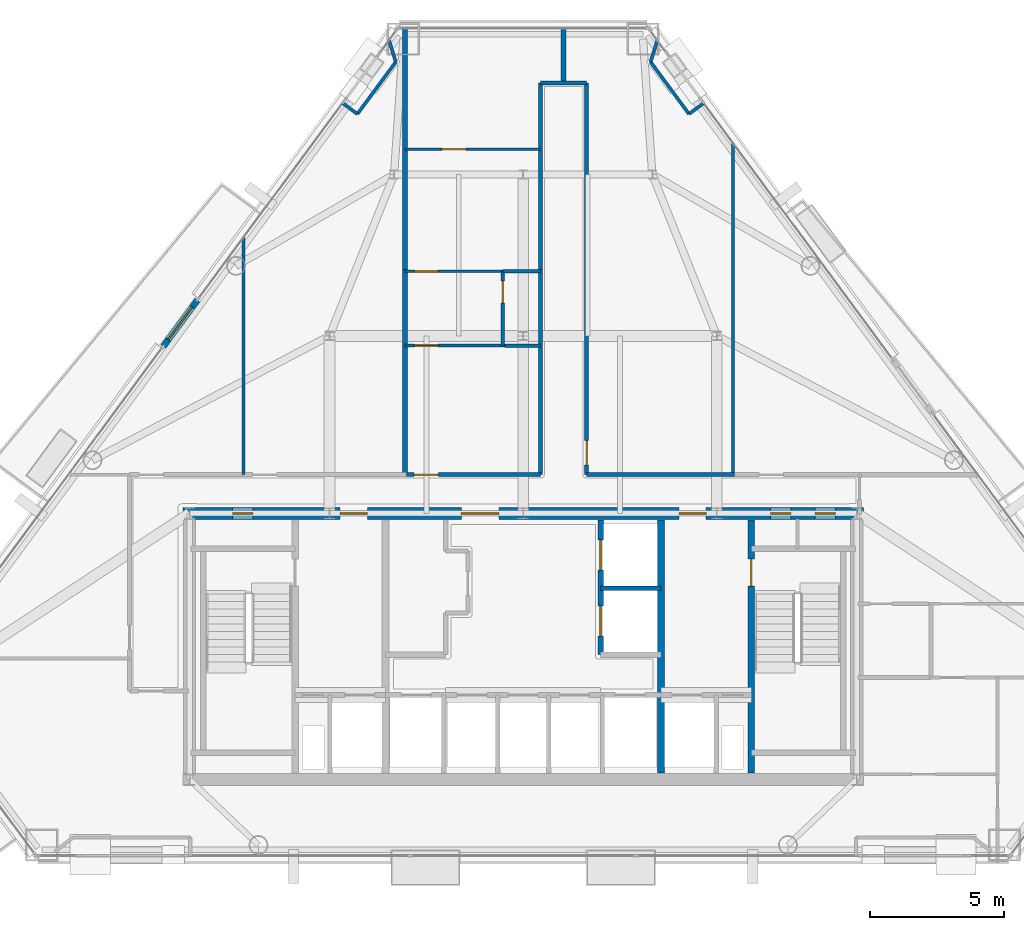
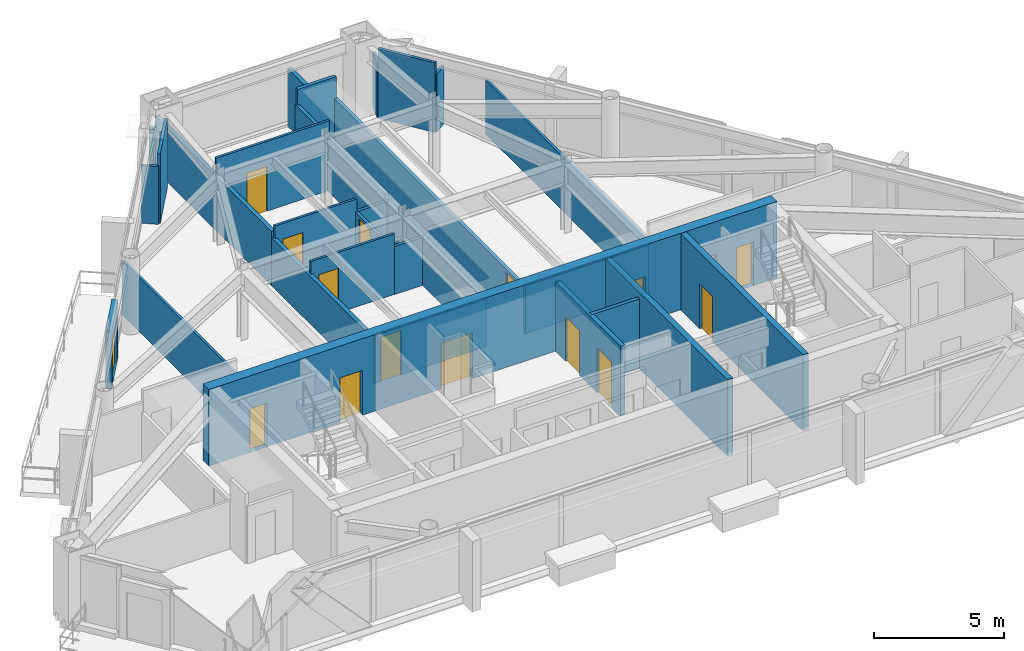
# One storey, part 9 of 12: 29 walls, 16 doors, 16 openings.
"""IFC4 building model written with IfcOpenShell, lengths in metres."""

from ifc_helpers import new_model, si_unit, direction, frame, frame_2d, origin, place, context, subcontext, project, spatial, rectangle, extrude, material, layer, layer_set, type_object, element, fill, save


model = new_model("IFC4")

# Units and contexts
model_context = context("Model", 3, precision=1e-05, world=origin(), true_north=direction((0.0, 1.0)))
body_context = subcontext(model_context, "Body", "Model", "MODEL_VIEW")
ifc_project = project(units=[si_unit("LENGTHUNIT", "METRE"), si_unit("AREAUNIT", "SQUARE_METRE"), si_unit("VOLUMEUNIT", "CUBIC_METRE"), si_unit("PLANEANGLEUNIT", "RADIAN"), si_unit("MASSUNIT", "GRAM", prefix="KILO")], contexts=[model_context])

# Site, building, storey
site_placement = place(None, origin())
site = spatial("IfcSite", under=ifc_project, at=site_placement, CompositionType="ELEMENT")
building_placement = place(site_placement, origin())
building = spatial("IfcBuilding", under=site, at=building_placement, Name="Talgorran Terracotta Tower", CompositionType="ELEMENT")
storey_placement = place(building_placement, frame((0.0, 0.0, 165.300048828125)))
storey = spatial("IfcBuildingStorey", under=building, at=storey_placement, Name="L43", CompositionType="ELEMENT", Elevation=165.300048828125)

# Wall, opening, door
ifc_material_1 = material(Name="Concrete C40/50", Category="concrete")
ifc_layer_1 = layer(ifc_material_1, 0.239990234375, Name="WT_BALCONY_SPAND")
ifc_layer_set_1 = layer_set([ifc_layer_1], Name="Concrete C40/50")
wall_type_1 = type_object("IfcWallType", Name="WT_BALCONY_SPAND", PredefinedType="STANDARD", material=ifc_layer_set_1)
wall_1_placement = place(storey_placement, frame((-12.114990234375, 3.731201171875, -0.01513671875), z_axis=(0.0, 0.0, 1.0), x_axis=(-0.593794270714, -0.804616905158, 0.0)))
wall_1 = element("IfcWall", 1, at=wall_1_placement, inside=storey, type_object=wall_type_1, Name="WL-L43-BALP-BAL-NW", PredefinedType="STANDARD", context=body_context, shape_type="SweptSolid", body=[
    extrude(rectangle(XDim=2.14013671875, YDim=0.239990234375, at=frame_2d((1.070068359375, 0.0))), origin(), (0.0, 0.0, 1.0), 2.737060546875),
])
opening_1_placement = place(wall_1_placement, frame((0.320068359375, 0.0, 0.014892578125)))
opening_1 = element("IfcOpeningElement", 2, at=opening_1_placement, cuts=wall_1, Name="Opening D-BAL-L43-2", PredefinedType="OPENING", context=body_context, shape_type="SweptSolid", body=[
    extrude(rectangle(XDim=1.506, YDim=2.203951171875, at=frame_2d((0.75, 1.10205078125))), frame((0.0, 0.1298828125, 0.0), z_axis=(0.0, -1.0, 0.0), x_axis=(1.0, 0.0, 0.0)), (0.0, 0.0, 1.0), 0.260009765625),
])
ifc_material_2 = material(Name="Thermally Broken Aluminium", Category="aluminium")
door_type_1 = type_object("IfcDoorType", Name="DT_BALC_1500", OperationType="SLIDING_TO_RIGHT", PredefinedType="DOOR", material=ifc_material_2)
door_1_placement = place(opening_1_placement, origin())
door_1 = element("IfcDoor", 3, at=door_1_placement, inside=storey, type_object=door_type_1, Name="DR-L43-BAL-BAL-NW", OperationType="SLIDING_TO_RIGHT", OverallHeight=2.199951171875, OverallWidth=1.5, PredefinedType="DOOR", context=body_context, shape_type="SweptSolid", body=[
    extrude(rectangle(XDim=1.5, YDim=2.199951171875, at=frame_2d((0.75, 1.10009765625))), frame((0.0, 0.02490234375, 0.0), z_axis=(0.0, -1.0, 0.0), x_axis=(1.0, 0.0, 0.0)), (0.0, 0.0, 1.0), 0.050048828125),
])
fill(opening_1, door_1)

# Wall, openings, doors
ifc_material_3 = material(Name="Concrete C50/60", Category="concrete")
ifc_layer_2 = layer(ifc_material_3, 0.199951171875, Name="WT_CORE_200")
ifc_layer_set_2 = layer_set([ifc_layer_2], Name="Concrete C50/60")
wall_type_2 = type_object("IfcWallType", Name="WT_CORE_200", PredefinedType="SOLIDWALL", material=ifc_layer_set_2)
wall_2_placement = place(storey_placement, frame((2.8798828125, -9.449951171875, 0.0), z_axis=(0.0, 0.0, 1.0), x_axis=(0.0, 1.0, 0.0)))
wall_2 = element("IfcWall", 4, at=wall_2_placement, inside=storey, type_object=wall_type_2, Name="WL-L43-CW-V-E3", PredefinedType="SOLIDWALL", context=body_context, shape_type="SweptSolid", body=[
    extrude(rectangle(XDim=5.0, YDim=0.199951171875, at=frame_2d((2.5, 0.0))), origin(), (0.0, 0.0, 1.0), 3.280029296875),
])
opening_2_placement = place(wall_2_placement, frame((0.699951171875, 0.0, 0.0)))
opening_2 = element("IfcOpeningElement", 5, at=opening_2_placement, cuts=wall_2, Name="Opening LD-PLM1", PredefinedType="OPENING", context=body_context, shape_type="SweptSolid", body=[
    extrude(rectangle(XDim=1.10609765625, YDim=2.10409765625, at=frame_2d((0.550048828125, 1.052001953125))), frame((0.0, 0.10986328125, 0.0), z_axis=(0.0, -1.0, 0.0), x_axis=(1.0, 0.0, 0.0)), (0.0, 0.0, 1.0), 0.219970703125),
])
opening_3_placement = place(wall_2_placement, frame((3.14990234375, 0.0, 0.0)))
opening_3 = element("IfcOpeningElement", 6, at=opening_3_placement, cuts=wall_2, Name="Opening LD-PLM2", PredefinedType="OPENING", context=body_context, shape_type="SweptSolid", body=[
    extrude(rectangle(XDim=1.10609765625, YDim=2.10409765625, at=frame_2d((0.550048828125, 1.052001953125))), frame((0.0, 0.10986328125, 0.0), z_axis=(0.0, -1.0, 0.0), x_axis=(1.0, 0.0, 0.0)), (0.0, 0.0, 1.0), 0.219970703125),
])
ifc_material_4 = material(Name="Brushed Stainless Steel Grade 304", Category="steel")
door_type_2 = type_object("IfcDoorType", Name="DT_LIFT_LD1100", OperationType="DOUBLE_DOOR_SLIDING", PredefinedType="DOOR", material=ifc_material_4)
door_2_placement = place(opening_2_placement, origin())
door_2 = element("IfcDoor", 7, at=door_2_placement, inside=storey, type_object=door_type_2, Name="L43 Lift Landing Door LD-PLM1", OperationType="DOUBLE_DOOR_SLIDING", OverallHeight=2.10009765625, OverallWidth=1.10009765625, PredefinedType="DOOR", context=body_context, shape_type="SweptSolid", body=[
    extrude(rectangle(XDim=1.10009765625, YDim=2.10009765625, at=frame_2d((0.550048828125, 1.050048828125))), frame((0.0, 0.02490234375, 0.0), z_axis=(0.0, -1.0, 0.0), x_axis=(1.0, 0.0, 0.0)), (0.0, 0.0, 1.0), 0.050048828125),
])
fill(opening_2, door_2)
door_3_placement = place(opening_3_placement, origin())
door_3 = element("IfcDoor", 8, at=door_3_placement, inside=storey, type_object=door_type_2, Name="L43 Lift Landing Door LD-PLM2", OperationType="DOUBLE_DOOR_SLIDING", OverallHeight=2.10009765625, OverallWidth=1.10009765625, PredefinedType="DOOR", context=body_context, shape_type="SweptSolid", body=[
    extrude(rectangle(XDim=1.10009765625, YDim=2.10009765625, at=frame_2d((0.550048828125, 1.050048828125))), frame((0.0, 0.02490234375, 0.0), z_axis=(0.0, -1.0, 0.0), x_axis=(1.0, 0.0, 0.0)), (0.0, 0.0, 1.0), 0.050048828125),
])
fill(opening_3, door_3)

# Wall, opening, door
ifc_layer_3 = layer(ifc_material_3, 0.25, Name="WT_CORE_250")
ifc_layer_set_3 = layer_set([ifc_layer_3], Name="Concrete C50/60")
wall_type_3 = type_object("IfcWallType", Name="WT_CORE_250", PredefinedType="SHEAR", material=ifc_layer_set_3)
wall_3_placement = place(storey_placement, frame((8.47998046875, -13.85009765625, 0.0), z_axis=(0.0, 0.0, 1.0), x_axis=(0.0, 1.0, 0.0)))
wall_3 = element("IfcWall", 9, at=wall_3_placement, inside=storey, type_object=wall_type_3, Name="WL-L43-CW-V-E1", PredefinedType="SHEAR", context=body_context, shape_type="SweptSolid", body=[
    extrude(rectangle(XDim=9.400146484375, YDim=0.25, at=frame_2d((4.7001953125, 0.0))), origin(), (0.0, 0.0, 1.0), 3.599853515625),
])
opening_4_placement = place(wall_3_placement, frame((6.949951171875, 0.0, 0.0)))
opening_4 = element("IfcOpeningElement", 10, at=opening_4_placement, cuts=wall_3, Name="Opening DR-ST02", PredefinedType="OPENING", context=body_context, shape_type="SweptSolid", body=[
    extrude(rectangle(XDim=1.006, YDim=2.10409765625, at=frame_2d((0.5, 1.052001953125))), frame((0.0, 0.135009765625, 0.0), z_axis=(0.0, -1.0, 0.0), x_axis=(1.0, 0.0, 0.0)), (0.0, 0.0, 1.0), 0.27001953125),
])
ifc_material_5 = material(Name="Fire-Rated Pressed Steel", Category="steel")
door_type_3 = type_object("IfcDoorType", Name="DT_FIRE_1000", OperationType="NOTDEFINED", PredefinedType="DOOR", material=ifc_material_5)
door_4_placement = place(opening_4_placement, origin())
door_4 = element("IfcDoor", 11, at=door_4_placement, inside=storey, type_object=door_type_3, Name="DR-ST02", OperationType="SINGLE_SWING_RIGHT", OverallHeight=2.10009765625, OverallWidth=1.0, PredefinedType="DOOR", context=body_context, shape_type="SweptSolid", body=[
    extrude(rectangle(XDim=1.0, YDim=2.10009765625, at=frame_2d((0.5, 1.050048828125))), frame((0.0, 0.02490234375, 0.0), z_axis=(0.0, -1.0, 0.0), x_axis=(1.0, 0.0, 0.0)), (0.0, 0.0, 1.0), 0.050048828125),
])
fill(opening_4, door_4)

# Wall
wall_4_placement = place(storey_placement, frame((5.1201171875, -13.85009765625, 0.0), z_axis=(0.0, 0.0, 1.0), x_axis=(0.0, 1.0, 0.0)))
element("IfcWall", 12, at=wall_4_placement, inside=storey, type_object=wall_type_3, Name="WL-L43-CW-V-E2", PredefinedType="SHEAR", context=body_context, shape_type="SweptSolid", body=[
    extrude(rectangle(XDim=9.400146484375, YDim=0.25, at=frame_2d((4.7001953125, 0.0))), origin(), (0.0, 0.0, 1.0), 3.599853515625),
])

# Wall, openings, doors
ifc_material_6 = material(Name="Concrete C65/80", Category="concrete")
ifc_layer_4 = layer(ifc_material_6, 0.449951171875, Name="WT_CORE_EXT")
ifc_layer_set_4 = layer_set([ifc_layer_4], Name="Concrete C65/80")
wall_type_4 = type_object("IfcWallType", Name="WT_CORE_EXT", PredefinedType="SHEAR", material=ifc_layer_set_4)
wall_5_placement = place(storey_placement, frame((-12.64990234375, -4.199951171875, 0.0), z_axis=(0.0, 0.0, 1.0), x_axis=(1.0, 0.0, 0.0)))
wall_5 = element("IfcWall", 13, at=wall_5_placement, inside=storey, type_object=wall_type_4, Name="WL-L43-CW-OUT-N", PredefinedType="SHEAR", context=body_context, shape_type="SweptSolid", body=[
    extrude(rectangle(XDim=25.2998046875, YDim=0.449951171875, at=frame_2d((12.64990234375, 0.0))), origin(), (0.0, 0.0, 1.0), 3.599853515625),
])
opening_5_placement = place(wall_5_placement, frame((1.85009765625, 0.0, 0.0)))
opening_5 = element("IfcOpeningElement", 14, at=opening_5_placement, cuts=wall_5, Name="Opening DR-CSN1", PredefinedType="OPENING", context=body_context, shape_type="SweptSolid", body=[
    extrude(rectangle(XDim=0.756, YDim=2.054048828125, at=frame_2d((0.375, 1.027099609375))), frame((0.0, 0.23486328125, 0.0), z_axis=(0.0, -1.0, 0.0), x_axis=(1.0, 0.0, 0.0)), (0.0, 0.0, 1.0), 0.469970703125),
])
opening_6_placement = place(wall_5_placement, frame((21.85009765625, 0.0, 0.0)))
opening_6 = element("IfcOpeningElement", 15, at=opening_6_placement, cuts=wall_5, Name="Opening DR-CSN2", PredefinedType="OPENING", context=body_context, shape_type="SweptSolid", body=[
    extrude(rectangle(XDim=0.756, YDim=2.054048828125, at=frame_2d((0.375, 1.027099609375))), frame((0.0, 0.23486328125, 0.0), z_axis=(0.0, -1.0, 0.0), x_axis=(1.0, 0.0, 0.0)), (0.0, 0.0, 1.0), 0.469970703125),
])
opening_7_placement = place(wall_5_placement, frame((23.5, 0.0, 0.0)))
opening_7 = element("IfcOpeningElement", 16, at=opening_7_placement, cuts=wall_5, Name="Opening DR-CSN3", PredefinedType="OPENING", context=body_context, shape_type="SweptSolid", body=[
    extrude(rectangle(XDim=0.756, YDim=2.054048828125, at=frame_2d((0.375, 1.027099609375))), frame((0.0, 0.23486328125, 0.0), z_axis=(0.0, -1.0, 0.0), x_axis=(1.0, 0.0, 0.0)), (0.0, 0.0, 1.0), 0.469970703125),
])
opening_8_placement = place(wall_5_placement, frame((5.85009765625, 0.0, 0.0)))
opening_8 = element("IfcOpeningElement", 17, at=opening_8_placement, cuts=wall_5, Name="Opening DR-FFLW-N", PredefinedType="OPENING", context=body_context, shape_type="SweptSolid", body=[
    extrude(rectangle(XDim=1.006, YDim=2.10409765625, at=frame_2d((0.5, 1.052001953125))), frame((0.0, 0.23486328125, 0.0), z_axis=(0.0, -1.0, 0.0), x_axis=(1.0, 0.0, 0.0)), (0.0, 0.0, 1.0), 0.469970703125),
])
opening_9_placement = place(wall_5_placement, frame((10.35009765625, 0.0, 0.0)))
opening_9 = element("IfcOpeningElement", 18, at=opening_9_placement, cuts=wall_5, Name="Opening DR-PLL-N", PredefinedType="OPENING", context=body_context, shape_type="SweptSolid", body=[
    extrude(rectangle(XDim=1.40590234375, YDim=2.15390234375, at=frame_2d((0.699951171875, 1.076904296875))), frame((0.0, 0.23486328125, 0.0), z_axis=(0.0, -1.0, 0.0), x_axis=(1.0, 0.0, 0.0)), (0.0, 0.0, 1.0), 0.469970703125),
])
opening_10_placement = place(wall_5_placement, frame((18.449951171875, 0.0, 0.0)))
opening_10 = element("IfcOpeningElement", 19, at=opening_10_placement, cuts=wall_5, Name="Opening DR-FFLE-N", PredefinedType="OPENING", context=body_context, shape_type="SweptSolid", body=[
    extrude(rectangle(XDim=1.006, YDim=2.10409765625, at=frame_2d((0.5, 1.052001953125))), frame((0.0, 0.23486328125, 0.0), z_axis=(0.0, -1.0, 0.0), x_axis=(1.0, 0.0, 0.0)), (0.0, 0.0, 1.0), 0.469970703125),
])
ifc_material_7 = material(Name="Acoustic Glazed Timber", Category="wood")
door_type_4 = type_object("IfcDoorType", Name="DT_DOUBLE_1400", OperationType="DOUBLE_DOOR_SINGLE_SWING", PredefinedType="DOOR", material=ifc_material_7)
door_5_placement = place(opening_9_placement, origin())
door_5 = element("IfcDoor", 20, at=door_5_placement, inside=storey, type_object=door_type_4, Name="DR-PLL-N", OperationType="DOUBLE_DOOR_SINGLE_SWING", OverallHeight=2.14990234375, OverallWidth=1.39990234375, PredefinedType="DOOR", context=body_context, shape_type="SweptSolid", body=[
    extrude(rectangle(XDim=1.39990234375, YDim=2.14990234375, at=frame_2d((0.699951171875, 1.074951171875))), frame((0.0, 0.02490234375, 0.0), z_axis=(0.0, -1.0, 0.0), x_axis=(1.0, 0.0, 0.0)), (0.0, 0.0, 1.0), 0.050048828125),
])
fill(opening_9, door_5)
door_6_placement = place(opening_8_placement, origin())
door_6 = element("IfcDoor", 21, at=door_6_placement, inside=storey, type_object=door_type_3, Name="DR-FFLW-N", OperationType="SINGLE_SWING_LEFT", OverallHeight=2.10009765625, OverallWidth=1.0, PredefinedType="DOOR", context=body_context, shape_type="SweptSolid", body=[
    extrude(rectangle(XDim=1.0, YDim=2.10009765625, at=frame_2d((0.5, 1.050048828125))), frame((0.0, 0.02490234375, 0.0), z_axis=(0.0, -1.0, 0.0), x_axis=(1.0, 0.0, 0.0)), (0.0, 0.0, 1.0), 0.050048828125),
])
fill(opening_8, door_6)
door_7_placement = place(opening_10_placement, origin())
door_7 = element("IfcDoor", 22, at=door_7_placement, inside=storey, type_object=door_type_3, Name="DR-FFLE-N", OperationType="SINGLE_SWING_RIGHT", OverallHeight=2.10009765625, OverallWidth=1.0, PredefinedType="DOOR", context=body_context, shape_type="SweptSolid", body=[
    extrude(rectangle(XDim=1.0, YDim=2.10009765625, at=frame_2d((0.5, 1.050048828125))), frame((0.0, 0.02490234375, 0.0), z_axis=(0.0, -1.0, 0.0), x_axis=(1.0, 0.0, 0.0)), (0.0, 0.0, 1.0), 0.050048828125),
])
fill(opening_10, door_7)
door_type_5 = type_object("IfcDoorType", Name="DT_RISER_750", OperationType="NOTDEFINED", PredefinedType="DOOR", material=ifc_material_5)
door_8_placement = place(opening_5_placement, origin())
door_8 = element("IfcDoor", 23, at=door_8_placement, inside=storey, type_object=door_type_5, Name="DR-CSN1", OperationType="SINGLE_SWING_LEFT", OverallHeight=2.050048828125, OverallWidth=0.75, PredefinedType="DOOR", context=body_context, shape_type="SweptSolid", body=[
    extrude(rectangle(XDim=0.75, YDim=2.050048828125, at=frame_2d((0.375, 1.02490234375))), frame((0.0, 0.02490234375, 0.0), z_axis=(0.0, -1.0, 0.0), x_axis=(1.0, 0.0, 0.0)), (0.0, 0.0, 1.0), 0.050048828125),
])
fill(opening_5, door_8)
door_9_placement = place(opening_6_placement, origin())
door_9 = element("IfcDoor", 24, at=door_9_placement, inside=storey, type_object=door_type_5, Name="DR-CSN2", OperationType="SINGLE_SWING_LEFT", OverallHeight=2.050048828125, OverallWidth=0.75, PredefinedType="DOOR", context=body_context, shape_type="SweptSolid", body=[
    extrude(rectangle(XDim=0.75, YDim=2.050048828125, at=frame_2d((0.375, 1.02490234375))), frame((0.0, 0.02490234375, 0.0), z_axis=(0.0, -1.0, 0.0), x_axis=(1.0, 0.0, 0.0)), (0.0, 0.0, 1.0), 0.050048828125),
])
fill(opening_6, door_9)
door_10_placement = place(opening_7_placement, origin())
door_10 = element("IfcDoor", 25, at=door_10_placement, inside=storey, type_object=door_type_5, Name="DR-CSN3", OperationType="SINGLE_SWING_RIGHT", OverallHeight=2.050048828125, OverallWidth=0.75, PredefinedType="DOOR", context=body_context, shape_type="SweptSolid", body=[
    extrude(rectangle(XDim=0.75, YDim=2.050048828125, at=frame_2d((0.375, 1.02490234375))), frame((0.0, 0.02490234375, 0.0), z_axis=(0.0, -1.0, 0.0), x_axis=(1.0, 0.0, 0.0)), (0.0, 0.0, 1.0), 0.050048828125),
])
fill(opening_7, door_10)

# Wall, opening, door
ifc_material_8 = material(Name="Fire-Rated Steel Stud Plasterboard", Category="steel")
ifc_layer_5 = layer(ifc_material_8, 0.14990234375, Name="WT_FIRE_150")
ifc_layer_set_5 = layer_set([ifc_layer_5], Name="Fire-Rated Steel Stud Plasterboard")
wall_type_5 = type_object("IfcWallType", Name="WT_FIRE_150", PredefinedType="PARTITIONING", material=ifc_layer_set_5)
wall_6_placement = place(storey_placement, frame((2.360107421875, -2.760009765625, 0.0), z_axis=(0.0, 0.0, 1.0), x_axis=(0.0, 1.0, 0.0)))
wall_6 = element("IfcWall", 26, at=wall_6_placement, inside=storey, type_object=wall_type_5, Name="WL-L43-W-L43-R14", PredefinedType="PARTITIONING", context=body_context, shape_type="SweptSolid", body=[
    extrude(rectangle(XDim=14.56005859375, YDim=0.14990234375, at=frame_2d((7.280029296875, 0.0))), origin(), (0.0, 0.0, 1.0), 2.2548828125),
])
opening_11_placement = place(wall_6_placement, frame((0.359619140625, 0.0, 0.0)))
opening_11 = element("IfcOpeningElement", 27, at=opening_11_placement, cuts=wall_6, Name="Opening DR-L43-R15", PredefinedType="OPENING", context=body_context, shape_type="SweptSolid", body=[
    extrude(rectangle(XDim=0.90590234375, YDim=2.10409765625, at=frame_2d((0.449951171875, 1.052001953125))), frame((0.0, 0.0849609375, 0.0), z_axis=(0.0, -1.0, 0.0), x_axis=(1.0, 0.0, 0.0)), (0.0, 0.0, 1.0), 0.169921875),
])
ifc_material_9 = material(Name="Fire-Rated Timber Core", Category="wood")
door_type_6 = type_object("IfcDoorType", Name="DT_FIRE_900", OperationType="NOTDEFINED", PredefinedType="DOOR", material=ifc_material_9)
door_11_placement = place(opening_11_placement, origin())
door_11 = element("IfcDoor", 28, at=door_11_placement, inside=storey, type_object=door_type_6, Name="DR-L43-R15", OperationType="SINGLE_SWING_LEFT", OverallHeight=2.10009765625, OverallWidth=0.89990234375, PredefinedType="DOOR", context=body_context, shape_type="SweptSolid", body=[
    extrude(rectangle(XDim=0.89990234375, YDim=2.10009765625, at=frame_2d((0.449951171875, 1.050048828125))), frame((0.0, 0.02490234375, 0.0), z_axis=(0.0, -1.0, 0.0), x_axis=(1.0, 0.0, 0.0)), (0.0, 0.0, 1.0), 0.050048828125),
])
fill(opening_11, door_11)

# Wall
wall_7_placement = place(storey_placement, frame((2.360107421875, -2.760009765625, 0.0), z_axis=(0.0, 0.0, 1.0), x_axis=(1.0, 0.0, 0.0)))
element("IfcWall", 29, at=wall_7_placement, inside=storey, type_object=wall_type_5, Name="WL-L43-W-L43-R15", PredefinedType="PARTITIONING", context=body_context, shape_type="SweptSolid", body=[
    extrude(rectangle(XDim=5.5, YDim=0.14990234375, at=frame_2d((2.75, 0.0))), origin(), (0.0, 0.0, 1.0), 2.2548828125),
])

# Wall, opening, door
wall_8_placement = place(storey_placement, frame((-4.337890625, -2.760009765625, 0.0), z_axis=(0.0, 0.0, 1.0), x_axis=(1.0, 0.0, 0.0)))
wall_8 = element("IfcWall", 30, at=wall_8_placement, inside=storey, type_object=wall_type_5, Name="WL-L43-W-L43-R07", PredefinedType="PARTITIONING", context=body_context, shape_type="SweptSolid", body=[
    extrude(rectangle(XDim=4.977783203125, YDim=0.14990234375, at=frame_2d((2.48876953125, 0.0))), origin(), (0.0, 0.0, 1.0), 2.2548828125),
])
opening_12_placement = place(wall_8_placement, frame((0.278076171875, 0.0, 0.0)))
opening_12 = element("IfcOpeningElement", 31, at=opening_12_placement, cuts=wall_8, Name="Opening DR-L43-R10", PredefinedType="OPENING", context=body_context, shape_type="SweptSolid", body=[
    extrude(rectangle(XDim=0.90590234375, YDim=2.10409765625, at=frame_2d((0.449951171875, 1.052001953125))), frame((0.0, 0.0849609375, 0.0), z_axis=(0.0, -1.0, 0.0), x_axis=(1.0, 0.0, 0.0)), (0.0, 0.0, 1.0), 0.169921875),
])
door_12_placement = place(opening_12_placement, origin())
door_12 = element("IfcDoor", 32, at=door_12_placement, inside=storey, type_object=door_type_6, Name="DR-L43-R10", OperationType="SINGLE_SWING_RIGHT", OverallHeight=2.10009765625, OverallWidth=0.89990234375, PredefinedType="DOOR", context=body_context, shape_type="SweptSolid", body=[
    extrude(rectangle(XDim=0.89990234375, YDim=2.10009765625, at=frame_2d((0.449951171875, 1.050048828125))), frame((0.0, 0.02490234375, 0.0), z_axis=(0.0, -1.0, 0.0), x_axis=(1.0, 0.0, 0.0)), (0.0, 0.0, 1.0), 0.050048828125),
])
fill(opening_12, door_12)

# Walls
wall_9_placement = place(storey_placement, frame((0.639892578125, -2.760009765625, 0.0), z_axis=(0.0, 0.0, 1.0), x_axis=(0.0, 1.0, 0.0)))
element("IfcWall", 33, at=wall_9_placement, inside=storey, type_object=wall_type_5, Name="WL-L43-W-L43-R08", PredefinedType="PARTITIONING", context=body_context, shape_type="SweptSolid", body=[
    extrude(rectangle(XDim=7.6201171875, YDim=0.14990234375, at=frame_2d((3.81005859375, 0.0))), origin(), (0.0, 0.0, 1.0), 2.2548828125),
])
wall_10_placement = place(storey_placement, frame((0.639892578125, 4.862060546875, 0.0), z_axis=(0.0, 0.0, 1.0), x_axis=(0.0, 1.0, 0.0)))
element("IfcWall", 34, at=wall_10_placement, inside=storey, type_object=wall_type_5, Name="WL-L43-W-L43-R10", PredefinedType="PARTITIONING", context=body_context, shape_type="SweptSolid", body=[
    extrude(rectangle(XDim=6.93798828125, YDim=0.14990234375, at=frame_2d((3.468994140625, 0.0))), origin(), (0.0, 0.0, 1.0), 2.546875),
])
wall_11_placement = place(storey_placement, frame((0.639892578125, 11.800048828125, 0.0), z_axis=(0.0, 0.0, 1.0), x_axis=(1.0, 0.0, 0.0)))
element("IfcWall", 35, at=wall_11_placement, inside=storey, type_object=wall_type_5, Name="WL-L43-W-L43-R12", PredefinedType="PARTITIONING", context=body_context, shape_type="SweptSolid", body=[
    extrude(rectangle(XDim=1.72021484375, YDim=0.14990234375, at=frame_2d((0.860107421875, 0.0))), origin(), (0.0, 0.0, 1.0), 3.280029296875),
])
ifc_material_10 = material(Name="Acoustic Stud and Plasterboard")
ifc_layer_6 = layer(ifc_material_10, 0.179931640625, Name="WT_PARTY_200")
ifc_layer_set_6 = layer_set([ifc_layer_6], Name="Acoustic Stud and Plasterboard")
wall_type_6 = type_object("IfcWallType", Name="WT_PARTY_200", PredefinedType="PARTITIONING", material=ifc_layer_set_6)
wall_12_placement = place(storey_placement, frame((-4.39990234375, -2.760009765625, 0.0), z_axis=(0.0, 0.0, 1.0), x_axis=(0.0, 1.0, 0.0)))
element("IfcWall", 36, at=wall_12_placement, inside=storey, type_object=wall_type_6, Name="WL-L43-W-L43-R31", PredefinedType="PARTITIONING", context=body_context, shape_type="SweptSolid", body=[
    extrude(rectangle(XDim=7.6201171875, YDim=0.179931640625, at=frame_2d((3.81005859375, 0.0))), origin(), (0.0, 0.0, 1.0), 2.2548828125),
])
wall_13_placement = place(storey_placement, frame((-4.39990234375, 4.862060546875, 0.0), z_axis=(0.0, 0.0, 1.0), x_axis=(0.0, 1.0, 0.0)))
element("IfcWall", 37, at=wall_13_placement, inside=storey, type_object=wall_type_6, Name="WL-L43-W-L43-R33", PredefinedType="PARTITIONING", context=body_context, shape_type="SweptSolid", body=[
    extrude(rectangle(XDim=8.97265625, YDim=0.179931640625, at=frame_2d((4.486328125, 0.0))), origin(), (0.0, 0.0, 1.0), 2.546875),
])
wall_14_placement = place(storey_placement, frame((1.5, 11.800048828125, 0.0), z_axis=(0.0, 0.0, 1.0), x_axis=(0.0, 1.0, 0.0)))
element("IfcWall", 38, at=wall_14_placement, inside=storey, type_object=wall_type_6, Name="WL-L43-W-L43-R41", PredefinedType="PARTITIONING", context=body_context, shape_type="SweptSolid", body=[
    extrude(rectangle(XDim=2.03466796875, YDim=0.179931640625, at=frame_2d((1.017333984375, 0.0))), origin(), (0.0, 0.0, 1.0), 2.721923828125),
])
ifc_material_11 = material(Name="Lightweight Steel Stud Partition", Category="steel")
ifc_layer_7 = layer(ifc_material_11, 0.10498046875, Name="WT_PART_110")
ifc_layer_set_7 = layer_set([ifc_layer_7], Name="Lightweight Steel Stud Partition")
wall_type_7 = type_object("IfcWallType", Name="WT_PART_110", PredefinedType="PARTITIONING", material=ifc_layer_set_7)
wall_15_placement = place(storey_placement, frame((7.800048828125, -2.760009765625, 0.0), z_axis=(0.0, 0.0, 1.0), x_axis=(0.0, 1.0, 0.0)))
element("IfcWall", 39, at=wall_15_placement, inside=storey, type_object=wall_type_7, Name="WL-L43-W-L43-R42", PredefinedType="PARTITIONING", context=body_context, shape_type="SweptSolid", body=[
    extrude(rectangle(XDim=12.33837890625, YDim=0.10498046875, at=frame_2d((6.169189453125, 0.0))), origin(), (0.0, 0.0, 1.0), 2.546875),
])
wall_16_placement = place(storey_placement, frame((-10.39990234375, -2.760009765625, 0.0), z_axis=(0.0, 0.0, 1.0), x_axis=(0.0, 1.0, 0.0)))
element("IfcWall", 40, at=wall_16_placement, inside=storey, type_object=wall_type_7, Name="WL-L43-W-L43-R30", PredefinedType="PARTITIONING", context=body_context, shape_type="SweptSolid", body=[
    extrude(rectangle(XDim=8.815185546875, YDim=0.10498046875, at=frame_2d((4.40771484375, 0.0))), origin(), (0.0, 0.0, 1.0), 2.546875),
])

# Wall, opening, door
wall_17_placement = place(storey_placement, frame((-4.39990234375, 9.340087890625, 0.0), z_axis=(0.0, 0.0, 1.0), x_axis=(1.0, 0.0, 0.0)))
wall_17 = element("IfcWall", 41, at=wall_17_placement, inside=storey, type_object=wall_type_7, Name="WL-L43-W-L43-R40", PredefinedType="PARTITIONING", context=body_context, shape_type="SweptSolid", body=[
    extrude(rectangle(XDim=5.039794921875, YDim=0.10498046875, at=frame_2d((2.52001953125, 0.0))), origin(), (0.0, 0.0, 1.0), 3.280029296875),
])
opening_13_placement = place(wall_17_placement, frame((1.38720703125, 0.0, 0.0)))
opening_13 = element("IfcOpeningElement", 42, at=opening_13_placement, cuts=wall_17, Name="Opening DR-L43-R14", PredefinedType="OPENING", context=body_context, shape_type="SweptSolid", body=[
    extrude(rectangle(XDim=0.8858828125, YDim=2.10409765625, at=frame_2d((0.43994140625, 1.052001953125))), frame((0.0, 0.0625, 0.0), z_axis=(0.0, -1.0, 0.0), x_axis=(1.0, 0.0, 0.0)), (0.0, 0.0, 1.0), 0.125),
])
ifc_material_12 = material(Name="Solid-Core Painted Timber", Category="wood")
door_type_7 = type_object("IfcDoorType", Name="DT_INT_880", OperationType="NOTDEFINED", PredefinedType="DOOR", material=ifc_material_12)
door_13_placement = place(opening_13_placement, origin())
door_13 = element("IfcDoor", 43, at=door_13_placement, inside=storey, type_object=door_type_7, Name="DR-L43-R14", OperationType="SINGLE_SWING_RIGHT", OverallHeight=2.10009765625, OverallWidth=0.8798828125, PredefinedType="DOOR", context=body_context, shape_type="SweptSolid", body=[
    extrude(rectangle(XDim=0.8798828125, YDim=2.10009765625, at=frame_2d((0.43994140625, 1.050048828125))), frame((0.0, 0.02490234375, 0.0), z_axis=(0.0, -1.0, 0.0), x_axis=(1.0, 0.0, 0.0)), (0.0, 0.0, 1.0), 0.050048828125),
])
fill(opening_13, door_13)

wall_18_placement = place(storey_placement, frame((-4.39990234375, 2.0400390625, 0.0), z_axis=(0.0, 0.0, 1.0), x_axis=(1.0, 0.0, 0.0)))
wall_18 = element("IfcWall", 44, at=wall_18_placement, inside=storey, type_object=wall_type_7, Name="WL-L43-W-L43-R36", PredefinedType="PARTITIONING", context=body_context, shape_type="SweptSolid", body=[
    extrude(rectangle(XDim=3.719970703125, YDim=0.10498046875, at=frame_2d((1.85986328125, 0.0))), origin(), (0.0, 0.0, 1.0), 2.8486328125),
])
opening_14_placement = place(wall_18_placement, frame((0.3564453125, 0.0, 0.0)))
opening_14 = element("IfcOpeningElement", 45, at=opening_14_placement, cuts=wall_18, Name="Opening DR-L43-R12", PredefinedType="OPENING", context=body_context, shape_type="SweptSolid", body=[
    extrude(rectangle(XDim=0.8858828125, YDim=2.10409765625, at=frame_2d((0.43994140625, 1.052001953125))), frame((0.0, 0.0625, 0.0), z_axis=(0.0, -1.0, 0.0), x_axis=(1.0, 0.0, 0.0)), (0.0, 0.0, 1.0), 0.125),
])
door_14_placement = place(opening_14_placement, origin())
door_14 = element("IfcDoor", 46, at=door_14_placement, inside=storey, type_object=door_type_7, Name="DR-L43-R12", OperationType="SINGLE_SWING_RIGHT", OverallHeight=2.10009765625, OverallWidth=0.8798828125, PredefinedType="DOOR", context=body_context, shape_type="SweptSolid", body=[
    extrude(rectangle(XDim=0.8798828125, YDim=2.10009765625, at=frame_2d((0.43994140625, 1.050048828125))), frame((0.0, 0.02490234375, 0.0), z_axis=(0.0, -1.0, 0.0), x_axis=(1.0, 0.0, 0.0)), (0.0, 0.0, 1.0), 0.050048828125),
])
fill(opening_14, door_14)

wall_19_placement = place(storey_placement, frame((-4.39990234375, 4.800048828125, 0.0), z_axis=(0.0, 0.0, 1.0), x_axis=(1.0, 0.0, 0.0)))
wall_19 = element("IfcWall", 47, at=wall_19_placement, inside=storey, type_object=wall_type_7, Name="WL-L43-W-L43-R39", PredefinedType="PARTITIONING", context=body_context, shape_type="SweptSolid", body=[
    extrude(rectangle(XDim=3.639892578125, YDim=0.10498046875, at=frame_2d((1.81982421875, 0.0))), origin(), (0.0, 0.0, 1.0), 2.8486328125),
])
opening_15_placement = place(wall_19_placement, frame((0.356201171875, 0.0, 0.0)))
opening_15 = element("IfcOpeningElement", 48, at=opening_15_placement, cuts=wall_19, Name="Opening DR-L43-R13", PredefinedType="OPENING", context=body_context, shape_type="SweptSolid", body=[
    extrude(rectangle(XDim=0.8858828125, YDim=2.10409765625, at=frame_2d((0.43994140625, 1.052001953125))), frame((0.0, 0.0625, 0.0), z_axis=(0.0, -1.0, 0.0), x_axis=(1.0, 0.0, 0.0)), (0.0, 0.0, 1.0), 0.125),
])
door_15_placement = place(opening_15_placement, origin())
door_15 = element("IfcDoor", 49, at=door_15_placement, inside=storey, type_object=door_type_7, Name="DR-L43-R13", OperationType="SINGLE_SWING_LEFT", OverallHeight=2.10009765625, OverallWidth=0.8798828125, PredefinedType="DOOR", context=body_context, shape_type="SweptSolid", body=[
    extrude(rectangle(XDim=0.8798828125, YDim=2.10009765625, at=frame_2d((0.43994140625, 1.050048828125))), frame((0.0, 0.02490234375, 0.0), z_axis=(0.0, -1.0, 0.0), x_axis=(1.0, 0.0, 0.0)), (0.0, 0.0, 1.0), 0.050048828125),
])
fill(opening_15, door_15)

# Walls
ifc_material_13 = material(Name="Insulated Steel Stud Plasterboard", Category="steel")
ifc_layer_8 = layer(ifc_material_13, 0.1201171875, Name="WT_PART_120")
ifc_layer_set_8 = layer_set([ifc_layer_8], Name="Insulated Steel Stud Plasterboard")
wall_type_8 = type_object("IfcWallType", Name="WT_PART_120", PredefinedType="PARTITIONING", material=ifc_layer_set_8)
for number, where, z_axis, x_axis, name in (
    (50, (-4.736083984375, 12.584716796875, 0.0), (0.0, 0.0, 1.0), (-0.593856992291, -0.804570613872, 0.0), "WL-L43-BW-L43-15"),
    (51, (6.163818359375, 10.650390625, 0.0), (0.0, 0.0, 1.0), (-0.593856992291, 0.804570613872, 0.0), "WL-L43-BW-L43-18"),
):
    element("IfcWall", number, at=place(storey_placement, frame(where, z_axis=z_axis, x_axis=x_axis)), inside=storey, type_object=wall_type_8, Name=name, PredefinedType="PARTITIONING", context=body_context, shape_type="SweptSolid", body=[
        extrude(rectangle(XDim=2.404052734375, YDim=0.1201171875, at=frame_2d((1.2021484375, 0.0))), origin(), (0.0, 0.0, 1.0), 3.280029296875),
    ])
for number, where, z_axis, x_axis, name in (
    (52, (-4.98486328125, 13.376220703125, 0.0), (0.0, 0.0, 1.0), (0.299849551451, -0.95398650226, 0.0), "WL-L43-BW-L43-14"),
    (53, (4.736083984375, 12.584716796875, 0.0), (0.0, 0.0, 1.0), (0.299849551451, 0.95398650226, 0.0), "WL-L43-BW-L43-19"),
):
    element("IfcWall", number, at=place(storey_placement, frame(where, z_axis=z_axis, x_axis=x_axis)), inside=storey, type_object=wall_type_8, Name=name, PredefinedType="PARTITIONING", context=body_context, shape_type="SweptSolid", body=[
        extrude(rectangle(XDim=0.82958984375, YDim=0.1201171875, at=frame_2d((0.414794921875, 0.0))), origin(), (0.0, 0.0, 1.0), 2.546875),
    ])
for number, where, z_axis, x_axis, name in (
    (54, (-6.163818359375, 10.650390625, 0.0), (0.0, 0.0, 1.0), (-0.804698441933, 0.59368376898, 0.0), "WL-L43-BW-L43-16"),
    (55, (6.702880859375, 11.048095703125, 0.0), (0.0, 0.0, 1.0), (-0.804698441933, -0.59368376898, 0.0), "WL-L43-BW-L43-17"),
):
    element("IfcWall", number, at=place(storey_placement, frame(where, z_axis=z_axis, x_axis=x_axis)), inside=storey, type_object=wall_type_8, Name=name, PredefinedType="PARTITIONING", context=body_context, shape_type="SweptSolid", body=[
        extrude(rectangle(XDim=0.669921875, YDim=0.1201171875, at=frame_2d((0.3349609375, 0.0))), origin(), (0.0, 0.0, 1.0), 2.721923828125),
    ])

# Wall, opening, door
ifc_material_14 = material(Name="Moisture-Resistant Stud Wall")
ifc_layer_9 = layer(ifc_material_14, 0.135009765625, Name="WT_PART_135")
ifc_layer_set_9 = layer_set([ifc_layer_9], Name="Moisture-Resistant Stud Wall")
wall_type_9 = type_object("IfcWallType", Name="WT_PART_135", PredefinedType="PARTITIONING", material=ifc_layer_set_9)
wall_20_placement = place(storey_placement, frame((-0.760009765625, 2.0400390625, 0.0), z_axis=(0.0, 0.0, 1.0), x_axis=(0.0, 1.0, 0.0)))
wall_20 = element("IfcWall", 56, at=wall_20_placement, inside=storey, type_object=wall_type_9, Name="WL-L43-W-L43-R37", PredefinedType="PARTITIONING", context=body_context, shape_type="SweptSolid", body=[
    extrude(rectangle(XDim=2.760009765625, YDim=0.135009765625, at=frame_2d((1.3798828125, 0.0))), origin(), (0.0, 0.0, 1.0), 2.2548828125),
])
opening_16_placement = place(wall_20_placement, frame((1.582763671875, 0.0, 0.0)))
opening_16 = element("IfcOpeningElement", 57, at=opening_16_placement, cuts=wall_20, Name="Opening DR-L43-R11", PredefinedType="OPENING", context=body_context, shape_type="SweptSolid", body=[
    extrude(rectangle(XDim=0.826068359375, YDim=2.10409765625, at=frame_2d((0.41015625, 1.052001953125))), frame((0.0, 0.07763671875, 0.0), z_axis=(0.0, -1.0, 0.0), x_axis=(1.0, 0.0, 0.0)), (0.0, 0.0, 1.0), 0.155029296875),
])
ifc_material_15 = material(Name="Moisture-Resistant Solid Timber", Category="wood")
door_type_8 = type_object("IfcDoorType", Name="DT_INT_820", OperationType="NOTDEFINED", PredefinedType="DOOR", material=ifc_material_15)
door_16_placement = place(opening_16_placement, origin())
door_16 = element("IfcDoor", 58, at=door_16_placement, inside=storey, type_object=door_type_8, Name="DR-L43-R11", OperationType="SINGLE_SWING_LEFT", OverallHeight=2.10009765625, OverallWidth=0.820068359375, PredefinedType="DOOR", context=body_context, shape_type="SweptSolid", body=[
    extrude(rectangle(XDim=0.820068359375, YDim=2.10009765625, at=frame_2d((0.41015625, 1.050048828125))), frame((0.0, 0.02490234375, 0.0), z_axis=(0.0, -1.0, 0.0), x_axis=(1.0, 0.0, 0.0)), (0.0, 0.0, 1.0), 0.050048828125),
])
fill(opening_16, door_16)

# Walls
wall_21_placement = place(storey_placement, frame((-0.677978515625, 2.0400390625, 0.0), z_axis=(0.0, 0.0, 1.0), x_axis=(1.0, 0.0, 0.0)))
element("IfcWall", 59, at=wall_21_placement, inside=storey, type_object=wall_type_9, Name="WL-L43-W-L43-R35", PredefinedType="PARTITIONING", context=body_context, shape_type="SweptSolid", body=[
    extrude(rectangle(XDim=1.31787109375, YDim=0.135009765625, at=frame_2d((0.658935546875, 0.0))), origin(), (0.0, 0.0, 1.0), 2.2548828125),
])
wall_22_placement = place(storey_placement, frame((-0.760009765625, 4.800048828125, 0.0), z_axis=(0.0, 0.0, 1.0), x_axis=(1.0, 0.0, 0.0)))
element("IfcWall", 60, at=wall_22_placement, inside=storey, type_object=wall_type_9, Name="WL-L43-W-L43-R38", PredefinedType="PARTITIONING", context=body_context, shape_type="SweptSolid", body=[
    extrude(rectangle(XDim=1.39990234375, YDim=0.135009765625, at=frame_2d((0.699951171875, 0.0))), origin(), (0.0, 0.0, 1.0), 2.2548828125),
])
ifc_material_16 = material(Name="Fire-Rated Shaftwall")
ifc_layer_10 = layer(ifc_material_16, 0.159912109375, Name="WT_PART_150")
ifc_layer_set_10 = layer_set([ifc_layer_10], Name="Fire-Rated Shaftwall")
wall_type_10 = type_object("IfcWallType", Name="WT_PART_150", PredefinedType="PARTITIONING", material=ifc_layer_set_10)
wall_23_placement = place(storey_placement, frame((2.8798828125, -6.97998046875, 0.0), z_axis=(0.0, 0.0, 1.0), x_axis=(1.0, 0.0, 0.0)))
element("IfcWall", 61, at=wall_23_placement, inside=storey, type_object=wall_type_10, Name="WL-L43-CW-PLM-DIV", PredefinedType="PARTITIONING", context=body_context, shape_type="SweptSolid", body=[
    extrude(rectangle(XDim=2.240234375, YDim=0.159912109375, at=frame_2d((1.1201171875, 0.0))), origin(), (0.0, 0.0, 1.0), 3.280029296875),
])

save(model, "model.ifc")
